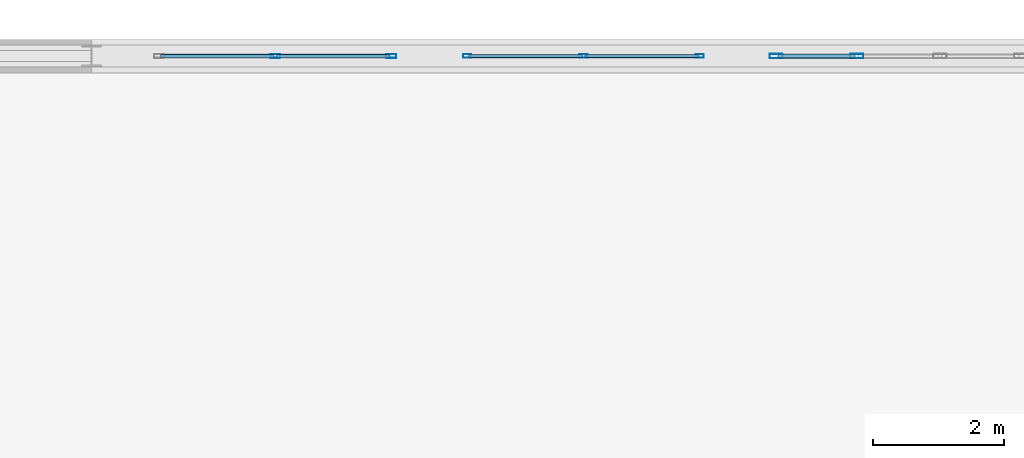
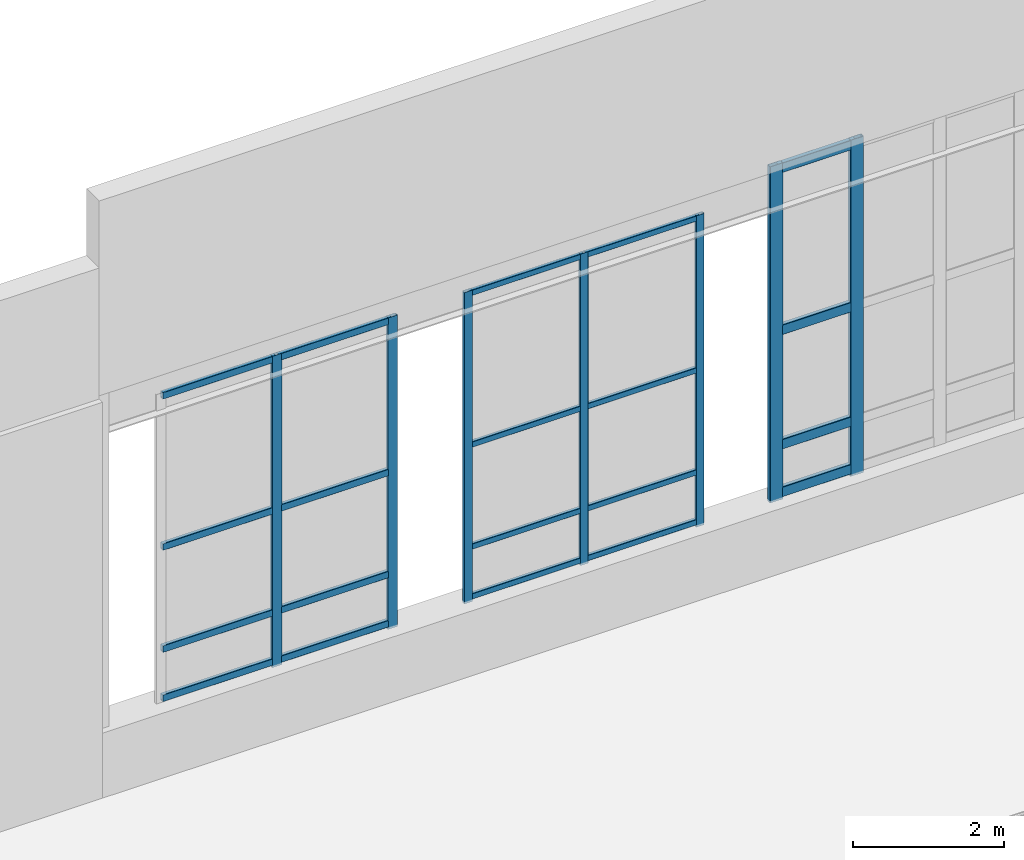
# One storey, part 148 of 197: 27 members, 3 elements without a shape of their own.
"""IFC4 building model written with IfcOpenShell, lengths in metres."""

from ifc_helpers import new_model, si_unit, derived_unit, direction, frame, origin, origin_2d, place, context, subcontext, project, spatial, hollow_rectangle, extrude, material, layer, layer_set, material_profile, profile_set, type_object, element, aggregate, save


model = new_model("IFC4")

# Units and contexts
model_context = context("Model", 3, precision=1e-05, world=origin(), true_north=direction((0.0, 1.0)))
body_context = subcontext(model_context, "Body", "Model", "MODEL_VIEW")
ifc_project = project(units=[si_unit("LENGTHUNIT", "METRE"), si_unit("AREAUNIT", "SQUARE_METRE"), si_unit("VOLUMEUNIT", "CUBIC_METRE"), si_unit("PLANEANGLEUNIT", "RADIAN"), si_unit("MASSUNIT", "GRAM", prefix="KILO"), derived_unit("THERMALTRANSMITTANCEUNIT", [(si_unit("POWERUNIT", "WATT"), 1), (si_unit("LENGTHUNIT", "METRE"), -2), (si_unit("THERMODYNAMICTEMPERATUREUNIT", "KELVIN"), -1)])], contexts=[model_context])

# Site, building, storey
site_placement = place(None, origin())
site = spatial("IfcSite", under=ifc_project, at=site_placement, CompositionType="ELEMENT")
building_placement = place(site_placement, origin())
building = spatial("IfcBuilding", under=site, at=building_placement, Name="Almenara Railside Exhibition Hall", CompositionType="ELEMENT")
storey_placement = place(building_placement, frame((0.0, 0.0, 5.39990234375)))
storey = spatial("IfcBuildingStorey", under=building, at=storey_placement, Name="L01", CompositionType="ELEMENT", Elevation=5.39990234375)

# Curtain wall, members
ifc_material_1 = material(Name="Bronze-anodised aluminium and low-E double glazing", Category="aluminium")
ifc_layer_1 = layer(ifc_material_1, 0.179931640625, Name="Bronze-anodised aluminium and low-E double glazing")
ifc_layer_set_1 = layer_set([ifc_layer_1], Name="Bronze-anodised aluminium and low-E double glazing")
curtain_wall_type_1 = type_object("IfcCurtainWallType", Name="Scroll Gable Standard Curtain Wall 3600x5000", PredefinedType="NOTDEFINED", material=ifc_layer_set_1)
curtain_wall_1_placement = place(storey_placement, origin())
curtain_wall_1 = element("IfcCurtainWall", 1, at=curtain_wall_1_placement, inside=storey, type_object=curtain_wall_type_1, Name="Curtain wall CW-G2-087", PredefinedType="NOTDEFINED")
ifc_material_2 = material(Name="Bronze-anodised aluminium", Category="aluminium")
ifc_material_profile_1 = material_profile(ifc_material_2, hollow_rectangle(XDim=0.054931640625, YDim=0.125, WallThickness=0.0029296875, InnerFilletRadius=0.0029296875, OuterFilletRadius=0.006103515625, at=origin_2d()), Name="ALU-MUL 55x125x3")
ifc_profile_set_1 = profile_set([ifc_material_profile_1], Name="Bronze-anodised aluminium")
member_type_1 = type_object("IfcMemberType", Name="Curtain Wall Mullion 55x125x3", PredefinedType="MULLION", material=ifc_profile_set_1)
member_1_placement = place(storey_placement, frame((154.12744140625, 132.0, 1.01513671875), z_axis=(0.0, 0.0, 1.0), x_axis=(0.0, 1.0, 0.0)))
member_1 = element("IfcMember", 2, at=member_1_placement, type_object=member_type_1, Name="CW-G2-087 mullion 1", PredefinedType="MULLION", context=body_context, shape_type="SweptSolid", body=[
    extrude(hollow_rectangle(XDim=0.054931640625, YDim=0.125, WallThickness=0.0029296875, InnerFilletRadius=0.0029296875, OuterFilletRadius=0.006103515625, at=origin_2d()), origin(), (0.0, 0.0, 1.0), 5.034912109375),
])
member_2_placement = place(storey_placement, frame((155.89990234375, 132.0, 1.01513671875), z_axis=(0.0, 0.0, 1.0), x_axis=(0.0, 1.0, 0.0)))
member_2 = element("IfcMember", 3, at=member_2_placement, type_object=member_type_1, Name="CW-G2-087 mullion 2", PredefinedType="MULLION", context=body_context, shape_type="SweptSolid", body=[
    extrude(hollow_rectangle(XDim=0.054931640625, YDim=0.125, WallThickness=0.0029296875, InnerFilletRadius=0.0029296875, OuterFilletRadius=0.006103515625, at=origin_2d()), origin(), (0.0, 0.0, 1.0), 5.034912109375),
])
member_3_placement = place(storey_placement, frame((157.672607421875, 132.0, 1.01513671875), z_axis=(0.0, 0.0, 1.0), x_axis=(0.0, 1.0, 0.0)))
member_3 = element("IfcMember", 4, at=member_3_placement, type_object=member_type_1, Name="CW-G2-087 mullion 3", PredefinedType="MULLION", context=body_context, shape_type="SweptSolid", body=[
    extrude(hollow_rectangle(XDim=0.054931640625, YDim=0.125, WallThickness=0.0029296875, InnerFilletRadius=0.0029296875, OuterFilletRadius=0.006103515625, at=origin_2d()), origin(), (0.0, 0.0, 1.0), 5.034912109375),
])

curtain_wall_2_placement = place(storey_placement, origin())
curtain_wall_2 = element("IfcCurtainWall", 5, at=curtain_wall_2_placement, inside=storey, type_object=curtain_wall_type_1, Name="Curtain wall CW-G2-086", PredefinedType="NOTDEFINED")
ifc_material_profile_2 = material_profile(ifc_material_2, hollow_rectangle(XDim=0.06005859375, YDim=0.14990234375, WallThickness=0.00341796875, InnerFilletRadius=0.00341796875, OuterFilletRadius=0.007080078125, at=origin_2d()), Name="ALU-MUL 60x150x3.5")
ifc_profile_set_2 = profile_set([ifc_material_profile_2], Name="Bronze-anodised aluminium")
member_type_2 = type_object("IfcMemberType", Name="Curtain Wall Mullion 60x150x3.5", PredefinedType="MULLION", material=ifc_profile_set_2)
member_4_placement = place(storey_placement, frame((151.199951171875, 132.0, 1.01513671875), z_axis=(0.0, 0.0, 1.0), x_axis=(0.0, 1.0, 0.0)))
member_4 = element("IfcMember", 6, at=member_4_placement, type_object=member_type_2, Name="CW-G2-086 mullion 2", PredefinedType="MULLION", context=body_context, shape_type="SweptSolid", body=[
    extrude(hollow_rectangle(XDim=0.06005859375, YDim=0.14990234375, WallThickness=0.00341796875, InnerFilletRadius=0.00341796875, OuterFilletRadius=0.007080078125, at=origin_2d()), origin(), (0.0, 0.0, 1.0), 5.034912109375),
])
member_5_placement = place(storey_placement, frame((152.969970703125, 132.0, 1.01513671875), z_axis=(0.0, 0.0, 1.0), x_axis=(0.0, 1.0, 0.0)))
member_5 = element("IfcMember", 7, at=member_5_placement, type_object=member_type_2, Name="CW-G2-086 mullion 3", PredefinedType="MULLION", context=body_context, shape_type="SweptSolid", body=[
    extrude(hollow_rectangle(XDim=0.06005859375, YDim=0.14990234375, WallThickness=0.00341796875, InnerFilletRadius=0.00341796875, OuterFilletRadius=0.007080078125, at=origin_2d()), origin(), (0.0, 0.0, 1.0), 5.034912109375),
])

ifc_layer_2 = layer(ifc_material_1, 0.179931640625, Name="Bronze-anodised aluminium and low-E double glazing")
ifc_layer_set_2 = layer_set([ifc_layer_2], Name="Bronze-anodised aluminium and low-E double glazing")
curtain_wall_type_2 = type_object("IfcCurtainWallType", Name="Scroll Gable Tall Curtain Wall 3800x5400", PredefinedType="NOTDEFINED", material=ifc_layer_set_2)
curtain_wall_3_placement = place(storey_placement, origin())
curtain_wall_3 = element("IfcCurtainWall", 8, at=curtain_wall_3_placement, inside=storey, type_object=curtain_wall_type_2, Name="Curtain wall CW-G1-088", PredefinedType="NOTDEFINED")
ifc_material_profile_3 = material_profile(ifc_material_2, hollow_rectangle(XDim=0.070068359375, YDim=0.199951171875, WallThickness=0.00439453125, InnerFilletRadius=0.00439453125, OuterFilletRadius=0.009033203125, at=origin_2d()), Name="ALU-MUL 70x200x4.5")
ifc_profile_set_3 = profile_set([ifc_material_profile_3], Name="Bronze-anodised aluminium")
member_type_3 = type_object("IfcMemberType", Name="Curtain Wall Mullion 70x200x4.5", PredefinedType="MULLION", material=ifc_profile_set_3)
member_6_placement = place(storey_placement, frame((158.8349609375, 132.0, 1.01513671875), z_axis=(0.0, 0.0, 1.0), x_axis=(0.0, 1.0, 0.0)))
member_6 = element("IfcMember", 9, at=member_6_placement, type_object=member_type_3, Name="CW-G1-088 mullion 1", PredefinedType="MULLION", context=body_context, shape_type="SweptSolid", body=[
    extrude(hollow_rectangle(XDim=0.070068359375, YDim=0.199951171875, WallThickness=0.00439453125, InnerFilletRadius=0.00439453125, OuterFilletRadius=0.009033203125, at=origin_2d()), origin(), (0.0, 0.0, 1.0), 5.43505859375),
])
member_7_placement = place(storey_placement, frame((160.066650390625, 132.0, 1.01513671875), z_axis=(0.0, 0.0, 1.0), x_axis=(0.0, 1.0, 0.0)))
member_7 = element("IfcMember", 10, at=member_7_placement, type_object=member_type_3, Name="CW-G1-088 mullion 2", PredefinedType="MULLION", context=body_context, shape_type="SweptSolid", body=[
    extrude(hollow_rectangle(XDim=0.070068359375, YDim=0.199951171875, WallThickness=0.00439453125, InnerFilletRadius=0.00439453125, OuterFilletRadius=0.009033203125, at=origin_2d()), origin(), (0.0, 0.0, 1.0), 5.43505859375),
])

# Member
ifc_material_profile_4 = material_profile(ifc_material_2, hollow_rectangle(XDim=0.054931640625, YDim=0.090087890625, WallThickness=0.0029296875, InnerFilletRadius=0.0029296875, OuterFilletRadius=0.006103515625, at=origin_2d()), Name="ALU-TRN 55x90x3")
ifc_profile_set_4 = profile_set([ifc_material_profile_4], Name="Bronze-anodised aluminium")
member_type_4 = type_object("IfcMemberType", Name="Curtain Wall Transom 55x90x3", PredefinedType="USERDEFINED", material=ifc_profile_set_4)
member_8_placement = place(storey_placement, frame((154.14697265625, 132.0, 1.09521484375), z_axis=(1.0, 0.0, 0.0), x_axis=(0.0, 1.0, 0.0)))
member_8 = element("IfcMember", 11, at=member_8_placement, type_object=member_type_4, Name="CW-G2-087 transom 1.1", ObjectType="TRANSOM", PredefinedType="USERDEFINED", context=body_context, shape_type="SweptSolid", body=[
    extrude(hollow_rectangle(XDim=0.054931640625, YDim=0.090087890625, WallThickness=0.0029296875, InnerFilletRadius=0.0029296875, OuterFilletRadius=0.006103515625, at=origin_2d()), origin(), (0.0, 0.0, 1.0), 1.733642578125),
])

member_9_placement = place(storey_placement, frame((154.14697265625, 132.0, 1.900146484375), z_axis=(1.0, 0.0, 0.0), x_axis=(0.0, 1.0, 0.0)))
member_9 = element("IfcMember", 12, at=member_9_placement, type_object=member_type_4, Name="CW-G2-087 transom 1.2", ObjectType="TRANSOM", PredefinedType="USERDEFINED", context=body_context, shape_type="SweptSolid", body=[
    extrude(hollow_rectangle(XDim=0.054931640625, YDim=0.090087890625, WallThickness=0.0029296875, InnerFilletRadius=0.0029296875, OuterFilletRadius=0.006103515625, at=origin_2d()), origin(), (0.0, 0.0, 1.0), 1.733642578125),
])

member_10_placement = place(storey_placement, frame((154.14697265625, 132.0, 3.550048828125), z_axis=(1.0, 0.0, 0.0), x_axis=(0.0, 1.0, 0.0)))
member_10 = element("IfcMember", 13, at=member_10_placement, type_object=member_type_4, Name="CW-G2-087 transom 1.3", ObjectType="TRANSOM", PredefinedType="USERDEFINED", context=body_context, shape_type="SweptSolid", body=[
    extrude(hollow_rectangle(XDim=0.054931640625, YDim=0.090087890625, WallThickness=0.0029296875, InnerFilletRadius=0.0029296875, OuterFilletRadius=0.006103515625, at=origin_2d()), origin(), (0.0, 0.0, 1.0), 1.733642578125),
])

member_11_placement = place(storey_placement, frame((154.14697265625, 132.0, 6.005126953125), z_axis=(1.0, 0.0, 0.0), x_axis=(0.0, 1.0, 0.0)))
member_11 = element("IfcMember", 14, at=member_11_placement, type_object=member_type_4, Name="CW-G2-087 transom 1.4", ObjectType="TRANSOM", PredefinedType="USERDEFINED", context=body_context, shape_type="SweptSolid", body=[
    extrude(hollow_rectangle(XDim=0.054931640625, YDim=0.090087890625, WallThickness=0.0029296875, InnerFilletRadius=0.0029296875, OuterFilletRadius=0.006103515625, at=origin_2d()), origin(), (0.0, 0.0, 1.0), 1.733642578125),
])

member_12_placement = place(storey_placement, frame((155.91943359375, 132.0, 1.09521484375), z_axis=(1.0, 0.0, 0.0), x_axis=(0.0, 1.0, 0.0)))
member_12 = element("IfcMember", 15, at=member_12_placement, type_object=member_type_4, Name="CW-G2-087 transom 2.1", ObjectType="TRANSOM", PredefinedType="USERDEFINED", context=body_context, shape_type="SweptSolid", body=[
    extrude(hollow_rectangle(XDim=0.054931640625, YDim=0.090087890625, WallThickness=0.0029296875, InnerFilletRadius=0.0029296875, OuterFilletRadius=0.006103515625, at=origin_2d()), origin(), (0.0, 0.0, 1.0), 1.733642578125),
])

member_13_placement = place(storey_placement, frame((155.91943359375, 132.0, 1.900146484375), z_axis=(1.0, 0.0, 0.0), x_axis=(0.0, 1.0, 0.0)))
member_13 = element("IfcMember", 16, at=member_13_placement, type_object=member_type_4, Name="CW-G2-087 transom 2.2", ObjectType="TRANSOM", PredefinedType="USERDEFINED", context=body_context, shape_type="SweptSolid", body=[
    extrude(hollow_rectangle(XDim=0.054931640625, YDim=0.090087890625, WallThickness=0.0029296875, InnerFilletRadius=0.0029296875, OuterFilletRadius=0.006103515625, at=origin_2d()), origin(), (0.0, 0.0, 1.0), 1.733642578125),
])

member_14_placement = place(storey_placement, frame((155.91943359375, 132.0, 3.550048828125), z_axis=(1.0, 0.0, 0.0), x_axis=(0.0, 1.0, 0.0)))
member_14 = element("IfcMember", 17, at=member_14_placement, type_object=member_type_4, Name="CW-G2-087 transom 2.3", ObjectType="TRANSOM", PredefinedType="USERDEFINED", context=body_context, shape_type="SweptSolid", body=[
    extrude(hollow_rectangle(XDim=0.054931640625, YDim=0.090087890625, WallThickness=0.0029296875, InnerFilletRadius=0.0029296875, OuterFilletRadius=0.006103515625, at=origin_2d()), origin(), (0.0, 0.0, 1.0), 1.733642578125),
])

member_15_placement = place(storey_placement, frame((155.91943359375, 132.0, 6.005126953125), z_axis=(1.0, 0.0, 0.0), x_axis=(0.0, 1.0, 0.0)))
member_15 = element("IfcMember", 18, at=member_15_placement, type_object=member_type_4, Name="CW-G2-087 transom 2.4", ObjectType="TRANSOM", PredefinedType="USERDEFINED", context=body_context, shape_type="SweptSolid", body=[
    extrude(hollow_rectangle(XDim=0.054931640625, YDim=0.090087890625, WallThickness=0.0029296875, InnerFilletRadius=0.0029296875, OuterFilletRadius=0.006103515625, at=origin_2d()), origin(), (0.0, 0.0, 1.0), 1.733642578125),
])

aggregate(curtain_wall_1, [member_1, member_2, member_3, member_8, member_9, member_10, member_11, member_12, member_13, member_14, member_15])

ifc_material_profile_5 = material_profile(ifc_material_2, hollow_rectangle(XDim=0.06005859375, YDim=0.110107421875, WallThickness=0.0029296875, InnerFilletRadius=0.0029296875, OuterFilletRadius=0.006103515625, at=origin_2d()), Name="ALU-TRN 60x110x3")
ifc_profile_set_5 = profile_set([ifc_material_profile_5], Name="Bronze-anodised aluminium")
member_type_5 = type_object("IfcMemberType", Name="Curtain Wall Transom 60x110x3", PredefinedType="USERDEFINED", material=ifc_profile_set_5)
member_16_placement = place(storey_placement, frame((149.451904296875, 132.0, 1.10498046875), z_axis=(1.0, 0.0, 0.0), x_axis=(0.0, 1.0, 0.0)))
member_16 = element("IfcMember", 19, at=member_16_placement, type_object=member_type_5, Name="CW-G2-086 transom 1.1", ObjectType="TRANSOM", PredefinedType="USERDEFINED", context=body_context, shape_type="SweptSolid", body=[
    extrude(hollow_rectangle(XDim=0.06005859375, YDim=0.110107421875, WallThickness=0.0029296875, InnerFilletRadius=0.0029296875, OuterFilletRadius=0.006103515625, at=origin_2d()), origin(), (0.0, 0.0, 1.0), 1.72607421875),
])

member_17_placement = place(storey_placement, frame((149.451904296875, 132.0, 1.900146484375), z_axis=(1.0, 0.0, 0.0), x_axis=(0.0, 1.0, 0.0)))
member_17 = element("IfcMember", 20, at=member_17_placement, type_object=member_type_5, Name="CW-G2-086 transom 1.2", ObjectType="TRANSOM", PredefinedType="USERDEFINED", context=body_context, shape_type="SweptSolid", body=[
    extrude(hollow_rectangle(XDim=0.06005859375, YDim=0.110107421875, WallThickness=0.0029296875, InnerFilletRadius=0.0029296875, OuterFilletRadius=0.006103515625, at=origin_2d()), origin(), (0.0, 0.0, 1.0), 1.72607421875),
])

member_18_placement = place(storey_placement, frame((149.451904296875, 132.0, 3.550048828125), z_axis=(1.0, 0.0, 0.0), x_axis=(0.0, 1.0, 0.0)))
member_18 = element("IfcMember", 21, at=member_18_placement, type_object=member_type_5, Name="CW-G2-086 transom 1.3", ObjectType="TRANSOM", PredefinedType="USERDEFINED", context=body_context, shape_type="SweptSolid", body=[
    extrude(hollow_rectangle(XDim=0.06005859375, YDim=0.110107421875, WallThickness=0.0029296875, InnerFilletRadius=0.0029296875, OuterFilletRadius=0.006103515625, at=origin_2d()), origin(), (0.0, 0.0, 1.0), 1.72607421875),
])

member_19_placement = place(storey_placement, frame((149.451904296875, 132.0, 5.9951171875), z_axis=(1.0, 0.0, 0.0), x_axis=(0.0, 1.0, 0.0)))
member_19 = element("IfcMember", 22, at=member_19_placement, type_object=member_type_5, Name="CW-G2-086 transom 1.4", ObjectType="TRANSOM", PredefinedType="USERDEFINED", context=body_context, shape_type="SweptSolid", body=[
    extrude(hollow_rectangle(XDim=0.06005859375, YDim=0.110107421875, WallThickness=0.0029296875, InnerFilletRadius=0.0029296875, OuterFilletRadius=0.006103515625, at=origin_2d()), origin(), (0.0, 0.0, 1.0), 1.72607421875),
])

member_20_placement = place(storey_placement, frame((151.221923828125, 132.0, 1.10498046875), z_axis=(1.0, 0.0, 0.0), x_axis=(0.0, 1.0, 0.0)))
member_20 = element("IfcMember", 23, at=member_20_placement, type_object=member_type_5, Name="CW-G2-086 transom 2.1", ObjectType="TRANSOM", PredefinedType="USERDEFINED", context=body_context, shape_type="SweptSolid", body=[
    extrude(hollow_rectangle(XDim=0.06005859375, YDim=0.110107421875, WallThickness=0.0029296875, InnerFilletRadius=0.0029296875, OuterFilletRadius=0.006103515625, at=origin_2d()), origin(), (0.0, 0.0, 1.0), 1.72607421875),
])

member_21_placement = place(storey_placement, frame((151.221923828125, 132.0, 1.900146484375), z_axis=(1.0, 0.0, 0.0), x_axis=(0.0, 1.0, 0.0)))
member_21 = element("IfcMember", 24, at=member_21_placement, type_object=member_type_5, Name="CW-G2-086 transom 2.2", ObjectType="TRANSOM", PredefinedType="USERDEFINED", context=body_context, shape_type="SweptSolid", body=[
    extrude(hollow_rectangle(XDim=0.06005859375, YDim=0.110107421875, WallThickness=0.0029296875, InnerFilletRadius=0.0029296875, OuterFilletRadius=0.006103515625, at=origin_2d()), origin(), (0.0, 0.0, 1.0), 1.72607421875),
])

member_22_placement = place(storey_placement, frame((151.221923828125, 132.0, 3.550048828125), z_axis=(1.0, 0.0, 0.0), x_axis=(0.0, 1.0, 0.0)))
member_22 = element("IfcMember", 25, at=member_22_placement, type_object=member_type_5, Name="CW-G2-086 transom 2.3", ObjectType="TRANSOM", PredefinedType="USERDEFINED", context=body_context, shape_type="SweptSolid", body=[
    extrude(hollow_rectangle(XDim=0.06005859375, YDim=0.110107421875, WallThickness=0.0029296875, InnerFilletRadius=0.0029296875, OuterFilletRadius=0.006103515625, at=origin_2d()), origin(), (0.0, 0.0, 1.0), 1.72607421875),
])

member_23_placement = place(storey_placement, frame((151.221923828125, 132.0, 5.9951171875), z_axis=(1.0, 0.0, 0.0), x_axis=(0.0, 1.0, 0.0)))
member_23 = element("IfcMember", 26, at=member_23_placement, type_object=member_type_5, Name="CW-G2-086 transom 2.4", ObjectType="TRANSOM", PredefinedType="USERDEFINED", context=body_context, shape_type="SweptSolid", body=[
    extrude(hollow_rectangle(XDim=0.06005859375, YDim=0.110107421875, WallThickness=0.0029296875, InnerFilletRadius=0.0029296875, OuterFilletRadius=0.006103515625, at=origin_2d()), origin(), (0.0, 0.0, 1.0), 1.72607421875),
])

aggregate(curtain_wall_2, [member_4, member_5, member_16, member_17, member_18, member_19, member_20, member_21, member_22, member_23])

ifc_material_profile_6 = material_profile(ifc_material_2, hollow_rectangle(XDim=0.070068359375, YDim=0.159912109375, WallThickness=0.00390625, InnerFilletRadius=0.00390625, OuterFilletRadius=0.008056640625, at=origin_2d()), Name="ALU-TRN 70x160x4")
ifc_profile_set_6 = profile_set([ifc_material_profile_6], Name="Bronze-anodised aluminium")
member_type_6 = type_object("IfcMemberType", Name="Curtain Wall Transom 70x160x4", PredefinedType="USERDEFINED", material=ifc_profile_set_6)
member_24_placement = place(storey_placement, frame((158.862060546875, 132.0, 1.130126953125), z_axis=(1.0, 0.0, 0.0), x_axis=(0.0, 1.0, 0.0)))
member_24 = element("IfcMember", 27, at=member_24_placement, type_object=member_type_6, Name="CW-G1-088 transom 1.1", ObjectType="TRANSOM", PredefinedType="USERDEFINED", context=body_context, shape_type="SweptSolid", body=[
    extrude(hollow_rectangle(XDim=0.070068359375, YDim=0.159912109375, WallThickness=0.00390625, InnerFilletRadius=0.00390625, OuterFilletRadius=0.008056640625, at=origin_2d()), origin(), (0.0, 0.0, 1.0), 1.177490234375),
])

member_25_placement = place(storey_placement, frame((158.862060546875, 132.0, 1.900146484375), z_axis=(1.0, 0.0, 0.0), x_axis=(0.0, 1.0, 0.0)))
member_25 = element("IfcMember", 28, at=member_25_placement, type_object=member_type_6, Name="CW-G1-088 transom 1.2", ObjectType="TRANSOM", PredefinedType="USERDEFINED", context=body_context, shape_type="SweptSolid", body=[
    extrude(hollow_rectangle(XDim=0.070068359375, YDim=0.159912109375, WallThickness=0.00390625, InnerFilletRadius=0.00390625, OuterFilletRadius=0.008056640625, at=origin_2d()), origin(), (0.0, 0.0, 1.0), 1.177490234375),
])

member_26_placement = place(storey_placement, frame((158.862060546875, 132.0, 3.75), z_axis=(1.0, 0.0, 0.0), x_axis=(0.0, 1.0, 0.0)))
member_26 = element("IfcMember", 29, at=member_26_placement, type_object=member_type_6, Name="CW-G1-088 transom 1.3", ObjectType="TRANSOM", PredefinedType="USERDEFINED", context=body_context, shape_type="SweptSolid", body=[
    extrude(hollow_rectangle(XDim=0.070068359375, YDim=0.159912109375, WallThickness=0.00390625, InnerFilletRadius=0.00390625, OuterFilletRadius=0.008056640625, at=origin_2d()), origin(), (0.0, 0.0, 1.0), 1.177490234375),
])

member_27_placement = place(storey_placement, frame((158.862060546875, 132.0, 6.3701171875), z_axis=(1.0, 0.0, 0.0), x_axis=(0.0, 1.0, 0.0)))
member_27 = element("IfcMember", 30, at=member_27_placement, type_object=member_type_6, Name="CW-G1-088 transom 1.4", ObjectType="TRANSOM", PredefinedType="USERDEFINED", context=body_context, shape_type="SweptSolid", body=[
    extrude(hollow_rectangle(XDim=0.070068359375, YDim=0.159912109375, WallThickness=0.00390625, InnerFilletRadius=0.00390625, OuterFilletRadius=0.008056640625, at=origin_2d()), origin(), (0.0, 0.0, 1.0), 1.177490234375),
])

aggregate(curtain_wall_3, [member_6, member_7, member_24, member_25, member_26, member_27])

save(model, "model.ifc")
